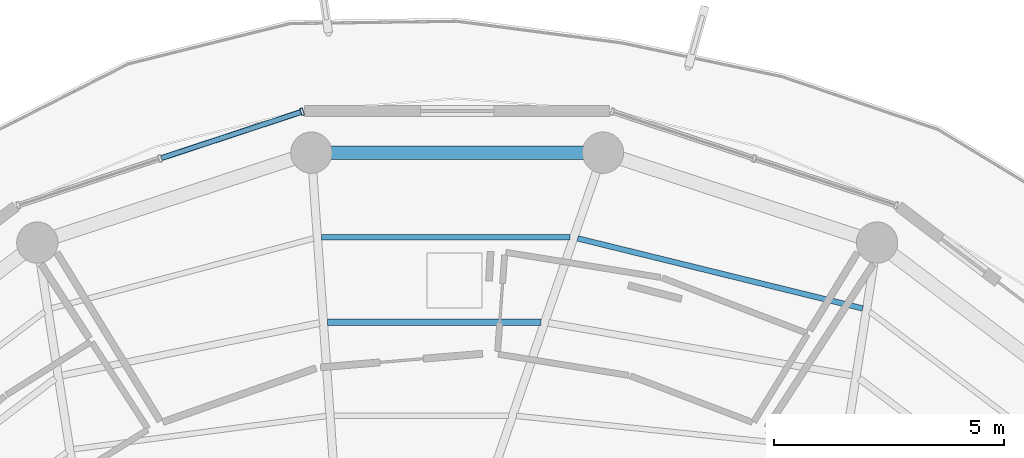
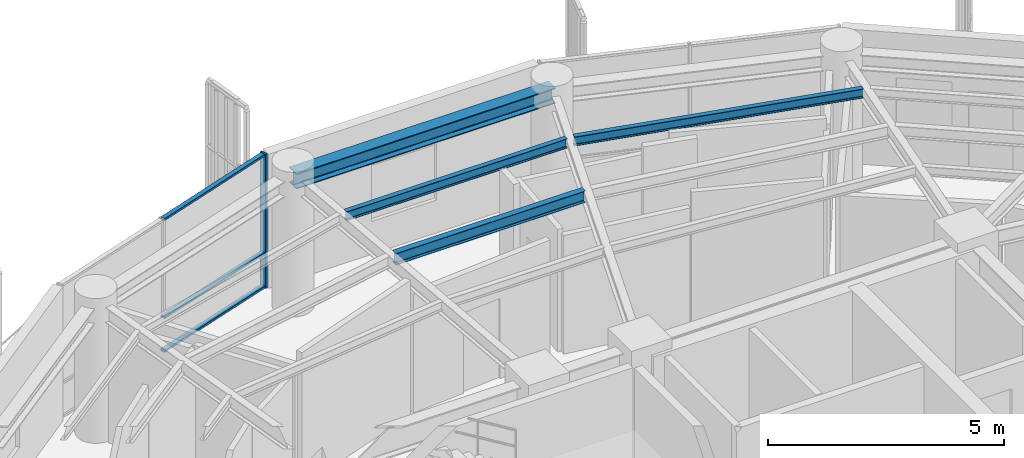
# One storey, part 12 of 22: 4 beams, 4 members, 1 element without a shape of its own.
"""IFC4 building model written with IfcOpenShell, lengths in metres."""

from ifc_helpers import new_model, si_unit, direction, frame, origin, origin_2d, place, context, subcontext, project, spatial, hollow_rectangle, i_section, extrude, material, layer, layer_set, material_profile, profile_set, type_object, element, aggregate, save


model = new_model("IFC4")

# Units and contexts
model_context = context("Model", 3, precision=1e-05, world=origin(), true_north=direction((0.0, 1.0)))
body_context = subcontext(model_context, "Body", "Model", "MODEL_VIEW")
ifc_project = project(units=[si_unit("LENGTHUNIT", "METRE"), si_unit("AREAUNIT", "SQUARE_METRE"), si_unit("VOLUMEUNIT", "CUBIC_METRE"), si_unit("PLANEANGLEUNIT", "RADIAN"), si_unit("MASSUNIT", "GRAM", prefix="KILO")], contexts=[model_context])

# Site, building, storey
site_placement = place(None, origin())
site = spatial("IfcSite", under=ifc_project, at=site_placement, CompositionType="ELEMENT")
building_placement = place(site_placement, origin())
building = spatial("IfcBuilding", under=site, at=building_placement, Name="Kelanora Arch Commons", CompositionType="ELEMENT")
storey_placement = place(building_placement, frame((0.0, 0.0, 271.199951171875)))
storey = spatial("IfcBuildingStorey", under=building, at=storey_placement, Name="L69", CompositionType="ELEMENT", Elevation=271.199951171875)

# Beams
ifc_material_1 = material(Name="Steel S355", Category="steel")
ifc_material_profile_1 = material_profile(ifc_material_1, i_section(OverallWidth=0.14990234375, OverallDepth=0.300048828125, WebThickness=0.007080078125, FlangeThickness=0.0107421875, FilletRadius=0.014892578125, at=origin_2d()), Name="IPE300")
ifc_profile_set_1 = profile_set([ifc_material_profile_1], Name="Steel S355")
beam_type_1 = type_object("IfcBeamType", Name="BM-JST-01", PredefinedType="JOIST", material=ifc_profile_set_1)
beam_1_placement = place(storey_placement, frame((75.819580078125, 70.537841796875, 3.340087890625), z_axis=(-1.0, 0.0, 0.0), x_axis=(0.0, -1.0, 0.0)))
element("IfcBeam", 1, at=beam_1_placement, inside=storey, type_object=beam_type_1, Name="Secondary Chord Joist BJB-08 L69", PredefinedType="JOIST", context=body_context, shape_type="SweptSolid", body=[
    extrude(i_section(OverallWidth=0.14990234375, OverallDepth=0.300048828125, WebThickness=0.007080078125, FlangeThickness=0.0107421875, FilletRadius=0.014892578125, at=origin_2d()), origin(), (0.0, 0.0, 1.0), 4.647216796875),
])
ifc_material_profile_2 = material_profile(ifc_material_1, i_section(OverallWidth=0.1201171875, OverallDepth=0.239990234375, WebThickness=0.006103515625, FlangeThickness=0.009765625, FilletRadius=0.014892578125, at=origin_2d()), Name="IPE240")
ifc_profile_set_2 = profile_set([ifc_material_profile_2], Name="Steel S355")
beam_type_2 = type_object("IfcBeamType", Name="BM-JST-02", PredefinedType="JOIST", material=ifc_profile_set_2)
beam_2_placement = place(storey_placement, frame((82.82958984375, 70.837890625, 3.3701171875), z_axis=(-0.971109719488, 0.23863342749, 0.0), x_axis=(-0.23863342749, -0.971109719488, 0.0)))
element("IfcBeam", 2, at=beam_2_placement, inside=storey, type_object=beam_type_2, Name="Secondary Chord Joist BJC-06 L69", PredefinedType="JOIST", context=body_context, shape_type="SweptSolid", body=[
    extrude(i_section(OverallWidth=0.1201171875, OverallDepth=0.239990234375, WebThickness=0.006103515625, FlangeThickness=0.009765625, FilletRadius=0.014892578125, at=origin_2d()), origin(), (0.0, 0.0, 1.0), 6.39208984375),
])
beam_3_placement = place(storey_placement, frame((76.454345703125, 72.3837890625, 3.3701171875), z_axis=(-1.0, 0.0, 0.0), x_axis=(0.0, -1.0, 0.0)))
element("IfcBeam", 3, at=beam_3_placement, inside=storey, type_object=beam_type_2, Name="Secondary Chord Joist BJC-08 L69", PredefinedType="JOIST", context=body_context, shape_type="SweptSolid", body=[
    extrude(i_section(OverallWidth=0.1201171875, OverallDepth=0.239990234375, WebThickness=0.006103515625, FlangeThickness=0.009765625, FilletRadius=0.014892578125, at=origin_2d()), origin(), (0.0, 0.0, 1.0), 5.412841796875),
])
ifc_material_profile_3 = material_profile(ifc_material_1, i_section(OverallWidth=0.300048828125, OverallDepth=0.39990234375, WebThickness=0.013427734375, FlangeThickness=0.02392578125, FilletRadius=0.027099609375, at=origin_2d()), Name="HEB400")
ifc_profile_set_3 = profile_set([ifc_material_profile_3], Name="Steel S355")
beam_type_3 = type_object("IfcBeamType", Name="BM-SPN-Z4", PredefinedType="SPANDREL", material=ifc_profile_set_3)
beam_4_placement = place(storey_placement, frame((77.17431640625, 74.2294921875, 3.2900390625), z_axis=(-1.0, 0.0, 0.0), x_axis=(0.0, -1.0, 0.0)))
element("IfcBeam", 4, at=beam_4_placement, inside=storey, type_object=beam_type_3, Name="Perimeter Spandrel Beam BS-08 L69", PredefinedType="SPANDREL", context=body_context, shape_type="SweptSolid", body=[
    extrude(i_section(OverallWidth=0.300048828125, OverallDepth=0.39990234375, WebThickness=0.013427734375, FlangeThickness=0.02392578125, FilletRadius=0.027099609375, at=origin_2d()), origin(), (0.0, 0.0, 1.0), 6.3486328125),
])

# Curtain wall, members
ifc_material_2 = material(Name="Terracotta ceramic-fritted low-E glass and aluminium", Category="masonry")
ifc_layer = layer(ifc_material_2, 0.18994140625)
ifc_layer_set = layer_set([ifc_layer], Name="Terracotta ceramic-fritted low-E glass and aluminium")
curtain_wall_type = type_object("IfcCurtainWallType", Name="CW-SYS-03", PredefinedType="NOTDEFINED", material=ifc_layer_set)
curtain_wall_placement = place(storey_placement, origin())
curtain_wall = element("IfcCurtainWall", 5, at=curtain_wall_placement, inside=storey, type_object=curtain_wall_type, Name="Unitised Curtain Wall L69-B05", PredefinedType="NOTDEFINED")
ifc_material_3 = material(Name="Powder-coated aluminium terracotta", Category="masonry")
ifc_material_profile_4 = material_profile(ifc_material_3, hollow_rectangle(XDim=0.159912109375, YDim=0.06005859375, WallThickness=0.0048828125, InnerFilletRadius=0.0048828125, OuterFilletRadius=0.010009765625, at=origin_2d()), Name="CWM160x60")
ifc_profile_set_4 = profile_set([ifc_material_profile_4], Name="Powder-coated aluminium terracotta")
member_type_1 = type_object("IfcMemberType", Name="CWM-STD", PredefinedType="MULLION", material=ifc_profile_set_4)
member_1_placement = place(storey_placement, frame((70.623291015625, 75.12158203125, 0.0), z_axis=(0.0, 0.0, 1.0), x_axis=(0.313252785344, -0.949669780752, 0.0)))
member_1 = element("IfcMember", 6, at=member_1_placement, type_object=member_type_1, Name="CW-03 mullion 1", PredefinedType="MULLION", context=body_context, shape_type="SweptSolid", body=[
    extrude(hollow_rectangle(XDim=0.159912109375, YDim=0.06005859375, WallThickness=0.0048828125, InnerFilletRadius=0.0048828125, OuterFilletRadius=0.010009765625, at=origin_2d()), origin(), (0.0, 0.0, 1.0), 3.47509765625),
])
ifc_material_profile_5 = material_profile(ifc_material_3, hollow_rectangle(XDim=0.1201171875, YDim=0.06005859375, WallThickness=0.0048828125, InnerFilletRadius=0.0048828125, OuterFilletRadius=0.010009765625, at=origin_2d()), Name="CWT120x60")
ifc_profile_set_5 = profile_set([ifc_material_profile_5], Name="Powder-coated aluminium terracotta")
member_type_2 = type_object("IfcMemberType", Name="CWT-STD", PredefinedType="USERDEFINED", material=ifc_profile_set_5)
member_2_placement = place(storey_placement, frame((70.5947265625, 75.1123046875, 0.030029296875), z_axis=(-0.949649574195, -0.313314037719, 0.0), x_axis=(0.313314037719, -0.949649574195, 0.0)))
member_2 = element("IfcMember", 7, at=member_2_placement, type_object=member_type_2, Name="CW-03 transom 1.1", ObjectType="TRANSOM", PredefinedType="USERDEFINED", context=body_context, shape_type="SweptSolid", body=[
    extrude(hollow_rectangle(XDim=0.1201171875, YDim=0.06005859375, WallThickness=0.0048828125, InnerFilletRadius=0.0048828125, OuterFilletRadius=0.010009765625, at=origin_2d()), origin(), (0.0, 0.0, 1.0), 3.194091796875),
])
member_3_placement = place(storey_placement, frame((70.5947265625, 75.1123046875, 0.900146484375), z_axis=(-0.949649574195, -0.313314037719, 0.0), x_axis=(0.313314037719, -0.949649574195, 0.0)))
member_3 = element("IfcMember", 8, at=member_3_placement, type_object=member_type_2, Name="CW-03 transom 1.2", ObjectType="TRANSOM", PredefinedType="USERDEFINED", context=body_context, shape_type="SweptSolid", body=[
    extrude(hollow_rectangle(XDim=0.1201171875, YDim=0.06005859375, WallThickness=0.0048828125, InnerFilletRadius=0.0048828125, OuterFilletRadius=0.010009765625, at=origin_2d()), origin(), (0.0, 0.0, 1.0), 3.194091796875),
])
member_4_placement = place(storey_placement, frame((70.5947265625, 75.1123046875, 3.445068359375), z_axis=(-0.949649574195, -0.313314037719, 0.0), x_axis=(0.313314037719, -0.949649574195, 0.0)))
member_4 = element("IfcMember", 9, at=member_4_placement, type_object=member_type_2, Name="CW-03 transom 1.3", ObjectType="TRANSOM", PredefinedType="USERDEFINED", context=body_context, shape_type="SweptSolid", body=[
    extrude(hollow_rectangle(XDim=0.1201171875, YDim=0.06005859375, WallThickness=0.0048828125, InnerFilletRadius=0.0048828125, OuterFilletRadius=0.010009765625, at=origin_2d()), origin(), (0.0, 0.0, 1.0), 3.194091796875),
])
aggregate(curtain_wall, [member_1, member_2, member_3, member_4])

save(model, "model.ifc")
